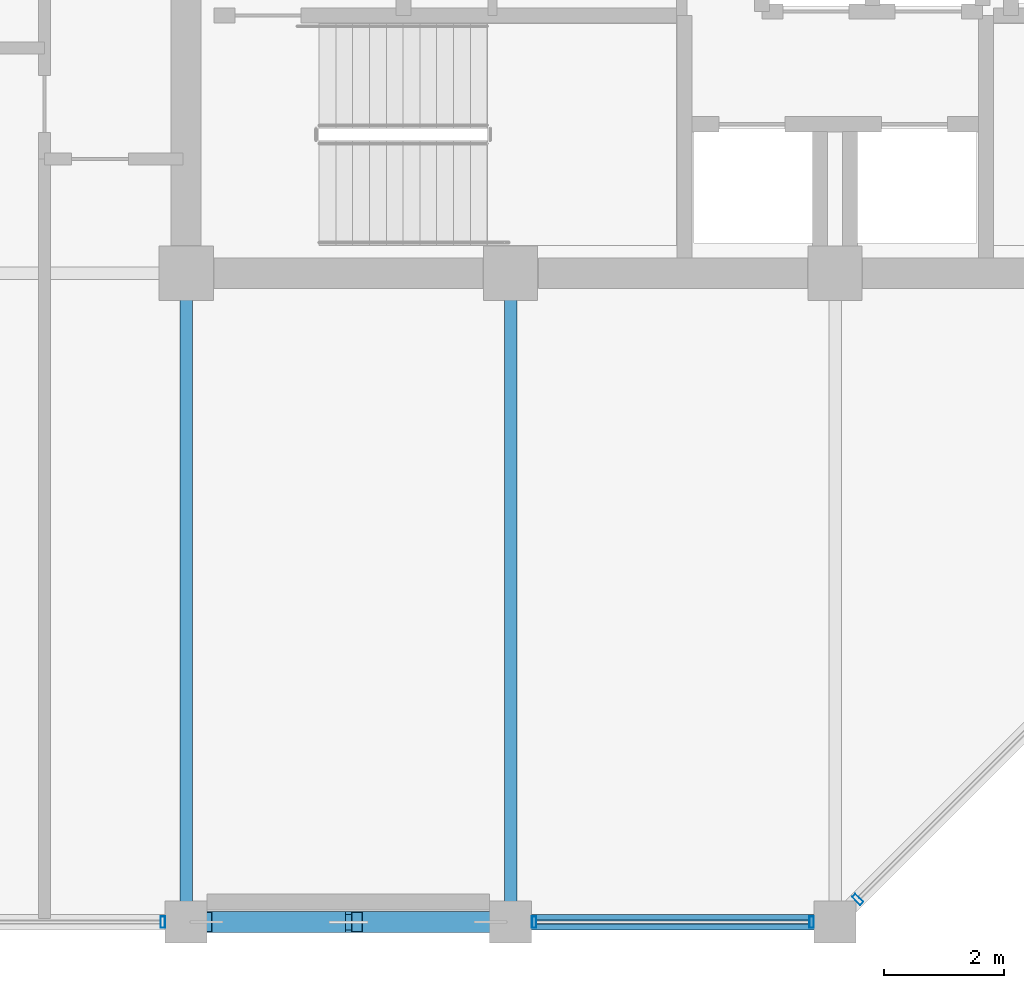
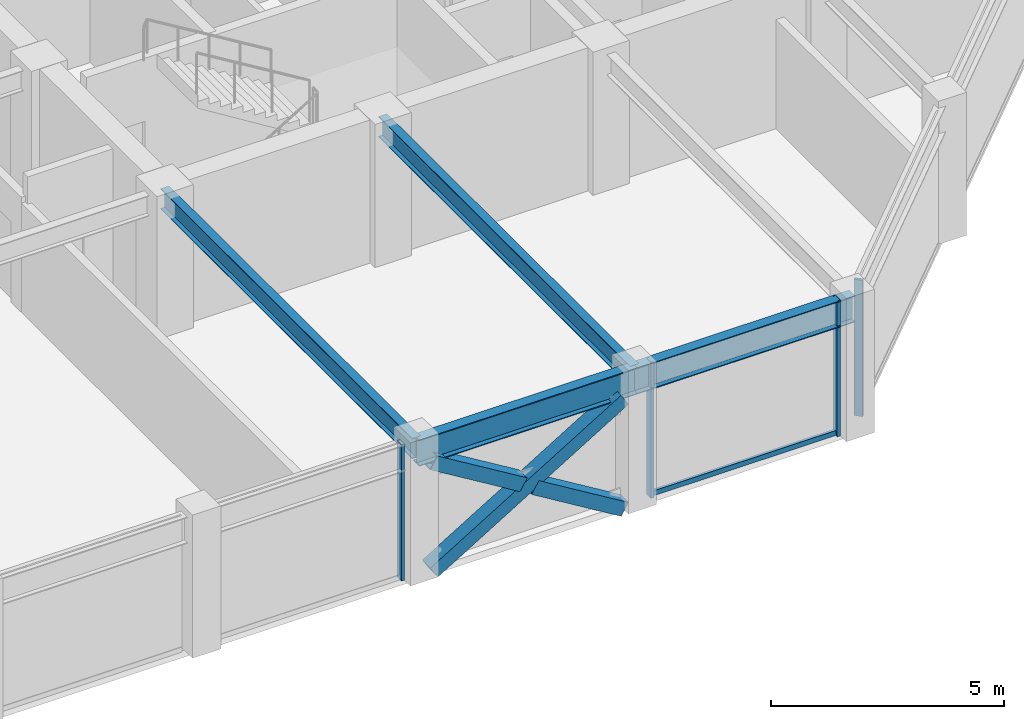
# One storey, part 6 of 32: 8 members, 4 beams, 3 elements without a shape of their own.
"""IFC4 building model written with IfcOpenShell, lengths in metres."""

import ifcopenshell
import ifcopenshell.guid

model = None  # the IFC model being written
_history = None  # IfcOwnerHistory: only IFC2X3 demands one
_inside = {}  # id of a spatial element -> (the spatial element, [elements in it])
_under = {}  # id of a project, library or spatial element -> (it, [spatial elements below it])
_declared = {}  # id of a project -> (the project, [libraries it declares])
_typed = {}  # id of a type object -> (the type object, [elements of that type])
_made_of = {}  # id of a material, layer set ... -> (it, [elements and type objects made of it])


def new_model(schema):
    """Start an empty IFC model of exactly this schema.

    Asked for "IFC4X3", IfcOpenShell would pick the latest addendum, in which some entities
    have other attributes; the version numbers below select the first issue.
    IFC2X3 requires an IfcOwnerHistory on every rooted entity: one is made here for all.
    """
    global model, _history
    if schema == "IFC4X3":
        model = ifcopenshell.file(schema_version=(4, 3, 0, 0))
    else:
        model = ifcopenshell.file(schema=schema)
    _inside.clear()
    _under.clear()
    _declared.clear()
    _typed.clear()
    _made_of.clear()
    _history = None
    if model.schema == "IFC2X3":
        org = make("IfcOrganization", Name="unknown")
        user = make(
            "IfcPersonAndOrganization",
            ThePerson=make("IfcPerson", FamilyName="unknown"),
            TheOrganization=org,
        )
        app = make(
            "IfcApplication",
            ApplicationDeveloper=org,
            Version="unknown",
            ApplicationFullName="unknown",
            ApplicationIdentifier="unknown",
        )
        _history = make(
            "IfcOwnerHistory",
            OwningUser=user,
            OwningApplication=app,
            ChangeAction="ADDED",
            CreationDate=0,
        )
    return model


def make(cls, **values):
    """One entity of the class cls with the attributes given. An attribute that is None is left unset."""
    return model.create_entity(
        cls, **{name: value for name, value in values.items() if value is not None}
    )


def rooted(cls, **values):
    """An entity with a GlobalId (a new one), such as an element, a storey or a relation."""
    return make(cls, GlobalId=ifcopenshell.guid.new(), OwnerHistory=_history, **values)


def si_unit(unit_type, name, prefix=None):
    """IfcSIUnit, for example si_unit("LENGTHUNIT", "METRE", prefix="MILLI")."""
    return make("IfcSIUnit", UnitType=unit_type, Prefix=prefix, Name=name)


def assignment(units):
    """IfcUnitAssignment: the units of a project."""
    return None if units is None else make("IfcUnitAssignment", Units=units)


def point(xyz):
    """IfcCartesianPoint."""
    return None if xyz is None else make("IfcCartesianPoint", Coordinates=xyz)


def direction(xyz):
    """IfcDirection."""
    return None if xyz is None else make("IfcDirection", DirectionRatios=xyz)


def frame(location, z_axis=None, x_axis=None):
    """IfcAxis2Placement3D, a coordinate frame: its origin and axes. An axis left out is left unset."""
    return make(
        "IfcAxis2Placement3D",
        Location=point(location),
        Axis=direction(z_axis),
        RefDirection=direction(x_axis),
    )


def frame_2d(location, x_axis=None):
    """IfcAxis2Placement2D, a coordinate frame in the plane: its origin and x axis."""
    return make(
        "IfcAxis2Placement2D", Location=point(location), RefDirection=direction(x_axis)
    )


def origin():
    """The frame at (0, 0, 0) with its axes left unset."""
    return frame((0.0, 0.0, 0.0))


def origin_2d():
    """The frame at (0, 0) in the plane with its x axis left unset."""
    return frame_2d((0.0, 0.0))


def place(relative_to, where):
    """IfcLocalPlacement: puts the frame where relative to a parent placement (None: the world)."""
    return make(
        "IfcLocalPlacement", PlacementRelTo=relative_to, RelativePlacement=where
    )


def context(
    kind, dimensions, precision=None, world=None, true_north=None, identifier=None
):
    """IfcGeometricRepresentationContext, for example the 3D "Model" context."""
    return make(
        "IfcGeometricRepresentationContext",
        ContextIdentifier=identifier,
        ContextType=kind,
        CoordinateSpaceDimension=dimensions,
        Precision=precision,
        WorldCoordinateSystem=world,
        TrueNorth=true_north,
    )


def subcontext(parent, identifier, kind, view, scale=None):
    """IfcGeometricRepresentationSubContext, for example "Body" below "Model"."""
    return make(
        "IfcGeometricRepresentationSubContext",
        ContextIdentifier=identifier,
        ContextType=kind,
        ParentContext=parent,
        TargetScale=scale,
        TargetView=view,
    )


def project(units=None, contexts=None):
    """IfcProject with its units and contexts."""
    return rooted(
        "IfcProject",
        Name="project",
        RepresentationContexts=contexts,
        UnitsInContext=assignment(units),
    )


def spatial(cls, under=None, at=None, **own):
    """A site, building, storey or space (cls), placed at a placement, below another one or the project."""
    s = rooted(cls, ObjectPlacement=at, **own)
    if under is not None:
        _under.setdefault(under.id(), (under, []))[1].append(s)
    return s


def profile(cls, at=None, kind="AREA", **sizes):
    """A parametric profile (cls). Its sizes go by their IFC names, for example OverallWidth=200.0."""
    return make(cls, ProfileType=kind, Position=at, **sizes)


def hollow_rectangle(**sizes):
    """IfcRectangleHollowProfileDef."""
    return profile("IfcRectangleHollowProfileDef", **sizes)


def i_section(**sizes):
    """IfcIShapeProfileDef."""
    return profile("IfcIShapeProfileDef", **sizes)


def extrude(swept, where, along, depth):
    """IfcExtrudedAreaSolid: the profile swept, set in the frame where, extruded along a direction by depth."""
    return make(
        "IfcExtrudedAreaSolid",
        SweptArea=swept,
        Position=where,
        ExtrudedDirection=direction(along),
        Depth=depth,
    )


def shape(context_of_items, identifier, shape_type, items):
    """IfcShapeRepresentation: the items that make up one representation, for example the "Body"."""
    return make(
        "IfcShapeRepresentation",
        ContextOfItems=context_of_items,
        RepresentationIdentifier=identifier,
        RepresentationType=shape_type,
        Items=items,
    )


def material(Name=None, Category=None):
    """IfcMaterial."""
    return make("IfcMaterial", Name=Name, Category=Category)


def layer(
    of_material, thickness, ventilated=None, Name=None, Category=None, Priority=None
):
    """IfcMaterialLayer: one layer of a wall or slab, of a material (None: an air gap)."""
    return make(
        "IfcMaterialLayer",
        Material=of_material,
        LayerThickness=thickness,
        IsVentilated=ventilated,
        Name=Name,
        Category=Category,
        Priority=Priority,
    )


def layer_set(layers, Name=None):
    """IfcMaterialLayerSet."""
    return make("IfcMaterialLayerSet", MaterialLayers=layers, LayerSetName=Name)


def material_profile(
    of_material, cross_section, Name=None, Category=None, Priority=None
):
    """IfcMaterialProfile: a cross section and its material."""
    return make(
        "IfcMaterialProfile",
        Name=Name,
        Material=of_material,
        Profile=cross_section,
        Priority=Priority,
        Category=Category,
    )


def profile_set(profiles, Name=None, composite=None):
    """IfcMaterialProfileSet."""
    return make(
        "IfcMaterialProfileSet",
        Name=Name,
        MaterialProfiles=profiles,
        CompositeProfile=composite,
    )


def made_of(thing, what):
    """Note that an element or type object is made of a material, layer set ...; save() writes the relation."""
    if what is not None:
        _made_of.setdefault(what.id(), (what, []))[1].append(thing)
    return thing


def type_object(cls, material=None, **own):
    """A type object (cls), such as IfcWallType, which elements share."""
    return made_of(rooted(cls, **own), material)


def element(
    cls,
    number,
    at=None,
    inside=None,
    cuts=None,
    type_object=None,
    material=None,
    context=None,
    identifier="Body",
    shape_type=None,
    held_by="IfcProductDefinitionShape",
    body=None,
    shapes=None,
    **own,
):
    """One element of the class cls, such as IfcWall. Its Tag is "e" and its number.

    at: its placement. inside: the storey or other place that contains it. cuts: it is an
    opening in that element (IfcRelVoidsElement). A single representation is given by context,
    identifier, shape_type and body (its items); several are given by shapes. held_by: the class
    of the entity that holds the representations. save() writes the other relations.
    """
    e = rooted(cls, Tag="e%d" % number, ObjectPlacement=at, **own)
    if body is not None:
        shapes = [shape(context, identifier, shape_type, body)]
    if shapes is not None:
        e.Representation = make(held_by, Representations=shapes)
    if inside is not None:
        _inside.setdefault(inside.id(), (inside, []))[1].append(e)
    if cuts is not None:
        rooted(
            "IfcRelVoidsElement", RelatingBuildingElement=cuts, RelatedOpeningElement=e
        )
    if type_object is not None:
        _typed.setdefault(type_object.id(), (type_object, []))[1].append(e)
    return made_of(e, material)


def aggregate(whole, parts):
    """IfcRelAggregates: a whole, such as a stair, and the parts it consists of."""
    return rooted("IfcRelAggregates", RelatingObject=whole, RelatedObjects=parts)


def save(model, path):
    """Write the relations noted so far, then the file.

    IfcRelAggregates (storeys below a building ...), IfcRelContainedInSpatialStructure (elements
    in a storey), IfcRelDefinesByType, IfcRelAssociatesMaterial and IfcRelDeclares: one each for
    every whole, place, type object, material and project.
    """
    for whole, parts in _under.values():
        aggregate(whole, parts)
    for where, things in _inside.values():
        rooted(
            "IfcRelContainedInSpatialStructure",
            RelatedElements=things,
            RelatingStructure=where,
        )
    for kind, things in _typed.values():
        rooted("IfcRelDefinesByType", RelatedObjects=things, RelatingType=kind)
    for what, things in _made_of.values():
        rooted("IfcRelAssociatesMaterial", RelatedObjects=things, RelatingMaterial=what)
    for by, libraries in _declared.values():
        rooted("IfcRelDeclares", RelatingContext=by, RelatedDefinitions=libraries)
    model.write(path)


model = new_model("IFC4")

# Units and contexts
model_context = context("Model", 3, precision=1e-05, world=origin(), true_north=direction((0.0, 1.0)))
body_context = subcontext(model_context, "Body", "Model", "MODEL_VIEW")
ifc_project = project(units=[si_unit("LENGTHUNIT", "METRE"), si_unit("AREAUNIT", "SQUARE_METRE"), si_unit("VOLUMEUNIT", "CUBIC_METRE"), si_unit("PLANEANGLEUNIT", "RADIAN"), si_unit("MASSUNIT", "GRAM", prefix="KILO")], contexts=[model_context])

# Site, building, storey
site_placement = place(None, origin())
site = spatial("IfcSite", under=ifc_project, at=site_placement, CompositionType="ELEMENT")
building_placement = place(site_placement, origin())
building = spatial("IfcBuilding", under=site, at=building_placement, Name="Surkhivell Harbour Commons", CompositionType="ELEMENT")
storey_placement = place(building_placement, frame((0.0, 0.0, 311.25)))
storey = spatial("IfcBuildingStorey", under=building, at=storey_placement, Name="L81", CompositionType="ELEMENT", Elevation=311.25)

# Beams
ifc_material_1 = material(Name="Steel S355", Category="steel")
ifc_material_profile_1 = material_profile(ifc_material_1, i_section(OverallWidth=0.2099609375, OverallDepth=0.537109375, WebThickness=0.0107421875, FlangeThickness=0.017333984375, at=origin_2d()), Name="UB533x210x101")
ifc_profile_set_1 = profile_set([ifc_material_profile_1], Name="Steel S355")
beam_type_1 = type_object("IfcBeamType", Name="BM-GRD-533B", PredefinedType="BEAM", material=ifc_profile_set_1)
for number, where, z_axis, x_axis, name in (
    (1, (-10.800048828125, -21.60009765625, 3.301513671875), (0.0, 1.0, 0.0), (-1.0, 0.0, 0.0), "L81 Floor Girder (-10.8,-21.6)"),
    (2, (-5.39990234375, -21.60009765625, 3.301513671875), (0.0, 1.0, 0.0), (-1.0, 0.0, 0.0), "L81 Floor Girder (-5.4,-21.6)"),
):
    element("IfcBeam", number, at=place(storey_placement, frame(where, z_axis=z_axis, x_axis=x_axis)), inside=storey, type_object=beam_type_1, Name=name, PredefinedType="BEAM", context=body_context, shape_type="SweptSolid", body=[
        extrude(i_section(OverallWidth=0.2099609375, OverallDepth=0.537109375, WebThickness=0.0107421875, FlangeThickness=0.017333984375, at=origin_2d()), origin(), (0.0, 0.0, 1.0), 10.800048828125),
    ])
ifc_material_profile_2 = material_profile(ifc_material_1, i_section(OverallWidth=0.256103515625, OverallDepth=0.693115234375, WebThickness=0.014404296875, FlangeThickness=0.023681640625, at=origin_2d()), Name="UB686x254x170")
ifc_profile_set_2 = profile_set([ifc_material_profile_2], Name="Steel S355")
beam_type_2 = type_object("IfcBeamType", Name="BM-SPN-686", PredefinedType="SPANDREL", material=ifc_profile_set_2)
beam_1_placement = place(storey_placement, frame((-10.800048828125, -21.60009765625, 3.223388671875), z_axis=(1.0, 0.0, 0.0), x_axis=(0.0, 1.0, 0.0)))
element("IfcBeam", 3, at=beam_1_placement, inside=storey, type_object=beam_type_2, Name="L81 Tube Spandrel (-10.8,-21.6)", PredefinedType="SPANDREL", context=body_context, shape_type="SweptSolid", body=[
    extrude(i_section(OverallWidth=0.256103515625, OverallDepth=0.693115234375, WebThickness=0.014404296875, FlangeThickness=0.023681640625, at=origin_2d()), origin(), (0.0, 0.0, 1.0), 5.400146484375),
])
beam_2_placement = place(storey_placement, frame((-5.39990234375, -21.60009765625, 3.223388671875), z_axis=(1.0, 0.0, 0.0), x_axis=(0.0, 1.0, 0.0)))
element("IfcBeam", 4, at=beam_2_placement, inside=storey, type_object=beam_type_2, Name="L81 Tube Spandrel (-5.4,-21.6)", PredefinedType="SPANDREL", context=body_context, shape_type="SweptSolid", body=[
    extrude(i_section(OverallWidth=0.256103515625, OverallDepth=0.693115234375, WebThickness=0.014404296875, FlangeThickness=0.023681640625, at=origin_2d()), origin(), (0.0, 0.0, 1.0), 5.39990234375),
])

# Curtain wall, member
ifc_material_2 = material(Name="Anodised pale-metal aluminium and insulated glazing", Category="aluminium")
ifc_layer = layer(ifc_material_2, 0.175048828125)
ifc_layer_set = layer_set([ifc_layer], Name="Anodised pale-metal aluminium and insulated glazing")
curtain_wall_type = type_object("IfcCurtainWallType", Name="CW-SYS-Z4", PredefinedType="NOTDEFINED", material=ifc_layer_set)
curtain_wall_1_placement = place(storey_placement, origin())
curtain_wall_1 = element("IfcCurtainWall", 5, at=curtain_wall_1_placement, inside=storey, type_object=curtain_wall_type, Name="L81 Curtain Wall CW-L81-E00S1", PredefinedType="NOTDEFINED")
ifc_material_3 = material(Name="Anodised pale-metal aluminium alloy 6063-T6", Category="aluminium")
ifc_material_profile_3 = material_profile(ifc_material_3, hollow_rectangle(XDim=0.074951171875, YDim=0.18994140625, WallThickness=0.00390625, at=origin_2d()), Name="ALU-MULL-75x190")
ifc_profile_set_3 = profile_set([ifc_material_profile_3], Name="Anodised pale-metal aluminium alloy 6063-T6")
member_type_1 = type_object("IfcMemberType", Name="CWM-190", PredefinedType="MULLION", material=ifc_profile_set_3)
member_1_placement = place(storey_placement, frame((-11.189453125, -21.60009765625, 0.0), z_axis=(0.0, 0.0, 1.0), x_axis=(1.0, 0.0, 0.0)))
member_1 = element("IfcMember", 6, at=member_1_placement, type_object=member_type_1, Name="CW-Z4 mullion 3", PredefinedType="MULLION", context=body_context, shape_type="SweptSolid", body=[
    extrude(hollow_rectangle(XDim=0.074951171875, YDim=0.18994140625, WallThickness=0.00390625, at=origin_2d()), origin(), (0.0, 0.0, 1.0), 3.570068359375),
])
aggregate(curtain_wall_1, [member_1])

# Curtain wall, members
curtain_wall_2_placement = place(storey_placement, origin())
curtain_wall_2 = element("IfcCurtainWall", 7, at=curtain_wall_2_placement, inside=storey, type_object=curtain_wall_type, Name="L81 Curtain Wall CW-L81-E00S2", PredefinedType="NOTDEFINED")
member_2_placement = place(storey_placement, frame((-5.010498046875, -21.60009765625, 0.0), z_axis=(0.0, 0.0, 1.0), x_axis=(1.0, 0.0, 0.0)))
member_2 = element("IfcMember", 8, at=member_2_placement, type_object=member_type_1, Name="CW-Z4 mullion 1", PredefinedType="MULLION", context=body_context, shape_type="SweptSolid", body=[
    extrude(hollow_rectangle(XDim=0.074951171875, YDim=0.18994140625, WallThickness=0.00390625, at=origin_2d()), origin(), (0.0, 0.0, 1.0), 3.570068359375),
])
member_3_placement = place(storey_placement, frame((-0.389404296875, -21.60009765625, 0.0), z_axis=(0.0, 0.0, 1.0), x_axis=(1.0, 0.0, 0.0)))
member_3 = element("IfcMember", 9, at=member_3_placement, type_object=member_type_1, Name="CW-Z4 mullion 2", PredefinedType="MULLION", context=body_context, shape_type="SweptSolid", body=[
    extrude(hollow_rectangle(XDim=0.074951171875, YDim=0.18994140625, WallThickness=0.00390625, at=origin_2d()), origin(), (0.0, 0.0, 1.0), 3.570068359375),
])

# Curtain wall, member
curtain_wall_3_placement = place(storey_placement, origin())
curtain_wall_3 = element("IfcCurtainWall", 10, at=curtain_wall_3_placement, inside=storey, type_object=curtain_wall_type, Name="L81 Curtain Wall CW-L81-E01", PredefinedType="NOTDEFINED")
member_4_placement = place(storey_placement, frame((0.378173828125, -21.221923828125, 0.0), z_axis=(0.0, 0.0, 1.0), x_axis=(0.707106781187, 0.707106781187, 0.0)))
member_4 = element("IfcMember", 11, at=member_4_placement, type_object=member_type_1, Name="CW-Z4 mullion 1", PredefinedType="MULLION", context=body_context, shape_type="SweptSolid", body=[
    extrude(hollow_rectangle(XDim=0.074951171875, YDim=0.18994140625, WallThickness=0.00390625, at=origin_2d()), origin(), (0.0, 0.0, 1.0), 3.570068359375),
])
aggregate(curtain_wall_3, [member_4])

# Member
ifc_material_4 = material(Name="Champagne anodised aluminium alloy 6063-T6", Category="aluminium")
ifc_material_profile_4 = material_profile(ifc_material_4, hollow_rectangle(XDim=0.070068359375, YDim=0.1298828125, WallThickness=0.00341796875, at=origin_2d()), Name="ALU-TRAN-70x130")
ifc_profile_set_4 = profile_set([ifc_material_profile_4], Name="Champagne anodised aluminium alloy 6063-T6")
member_type_2 = type_object("IfcMemberType", Name="CWT-130", PredefinedType="USERDEFINED", material=ifc_profile_set_4)
member_5_placement = place(storey_placement, frame((-4.972900390625, -21.60009765625, 0.06494140625), z_axis=(1.0, 0.0, 0.0), x_axis=(0.0, 1.0, 0.0)))
member_5 = element("IfcMember", 12, at=member_5_placement, type_object=member_type_2, Name="CW-Z4 transom 1.1", ObjectType="TRANSOM", PredefinedType="USERDEFINED", context=body_context, shape_type="SweptSolid", body=[
    extrude(hollow_rectangle(XDim=0.070068359375, YDim=0.1298828125, WallThickness=0.00341796875, at=origin_2d()), origin(), (0.0, 0.0, 1.0), 4.5458984375),
])

aggregate(curtain_wall_2, [member_2, member_3, member_5])

# Members
ifc_material_profile_5 = material_profile(ifc_material_1, hollow_rectangle(XDim=0.35009765625, YDim=0.35009765625, WallThickness=0.01611328125, at=origin_2d()), Name="SHS350x350x16")
ifc_profile_set_5 = profile_set([ifc_material_profile_5], Name="Steel S355")
member_type_3 = type_object("IfcMemberType", Name="MEM-BRC-SHS350", PredefinedType="BRACE", material=ifc_profile_set_5)
member_6_placement = place(storey_placement, frame((-10.465087890625, -21.60009765625, 0.008056640625), z_axis=(0.854685454322, 0.0, 0.519146197299), x_axis=(0.0, 1.0, 0.0)))
element("IfcMember", 13, at=member_6_placement, inside=storey, type_object=member_type_3, Name="L81 Perimeter Mega-Brace MB- 07", PredefinedType="BRACE", context=body_context, shape_type="SweptSolid", body=[
    extrude(hollow_rectangle(XDim=0.35009765625, YDim=0.35009765625, WallThickness=0.01611328125, at=origin_2d()), origin(), (0.0, 0.0, 1.0), 5.5341796875),
])
member_7_placement = place(storey_placement, frame((-5.735107421875, -21.60009765625, 0.008056640625), z_axis=(-0.854653538862, 0.0, 0.519198737007), x_axis=(0.0, -1.0, 0.0)))
element("IfcMember", 14, at=member_7_placement, inside=storey, type_object=member_type_3, Name="L81 Perimeter Mega-Brace MB- 08", PredefinedType="BRACE", context=body_context, shape_type="SweptSolid", body=[
    extrude(hollow_rectangle(XDim=0.35009765625, YDim=0.35009765625, WallThickness=0.01611328125, at=origin_2d()), origin(), (0.0, 0.0, 1.0), 2.598876953125),
])
member_8_placement = place(storey_placement, frame((-8.24365234375, -21.60009765625, 1.53173828125), z_axis=(-0.854678858595, 0.0, 0.51915705588), x_axis=(0.0, -1.0, 0.0)))
element("IfcMember", 15, at=member_8_placement, inside=storey, type_object=member_type_3, Name="L81 Perimeter Mega-Brace MB- 09", PredefinedType="BRACE", context=body_context, shape_type="SweptSolid", body=[
    extrude(hollow_rectangle(XDim=0.35009765625, YDim=0.35009765625, WallThickness=0.01611328125, at=origin_2d()), origin(), (0.0, 0.0, 1.0), 2.59912109375),
])

save(model, "model.ifc")
